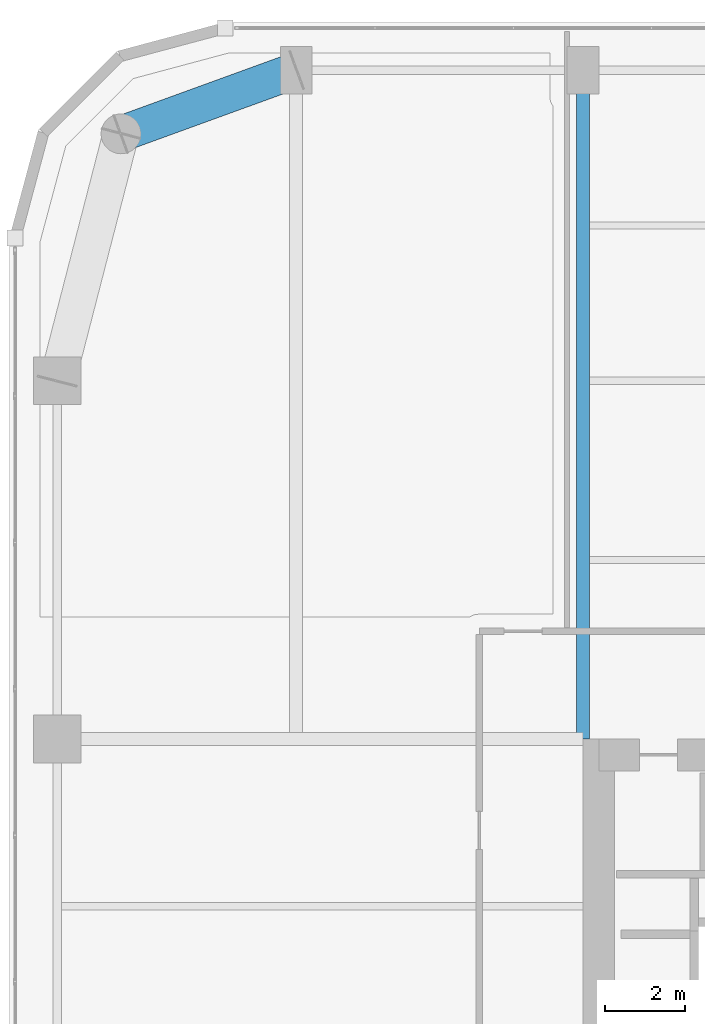
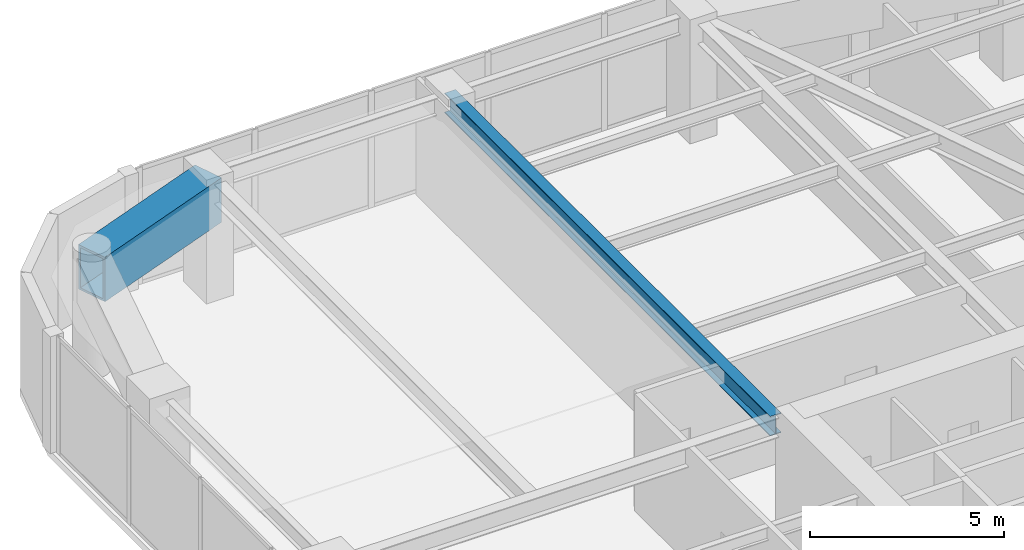
# One storey, part 16 of 30: 2 beams.
"""IFC4 building model written with IfcOpenShell, lengths in metres."""

from ifc_helpers import new_model, si_unit, direction, frame, origin, origin_2d, place, context, subcontext, project, spatial, hollow_rectangle, i_section, extrude, material, material_profile, profile_set, type_object, element, save


model = new_model("IFC4")

# Units and contexts
model_context = context("Model", 3, precision=1e-05, world=origin(), true_north=direction((0.0, 1.0)))
body_context = subcontext(model_context, "Body", "Model", "MODEL_VIEW")
ifc_project = project(units=[si_unit("LENGTHUNIT", "METRE"), si_unit("AREAUNIT", "SQUARE_METRE"), si_unit("VOLUMEUNIT", "CUBIC_METRE"), si_unit("PLANEANGLEUNIT", "RADIAN"), si_unit("MASSUNIT", "GRAM", prefix="KILO")], contexts=[model_context])

# Site, building, storey
site_placement = place(None, origin())
site = spatial("IfcSite", under=ifc_project, at=site_placement, CompositionType="ELEMENT")
building_placement = place(site_placement, origin())
building = spatial("IfcBuilding", under=site, at=building_placement, Name="Kiyonajd Concourse Tower", CompositionType="ELEMENT")
storey_placement = place(building_placement, frame((0.0, 0.0, 166.199951171875)))
storey = spatial("IfcBuildingStorey", under=building, at=storey_placement, Name="L42", CompositionType="ELEMENT", Elevation=166.199951171875)

# Beams
ifc_material_1 = material(Name="Steel ASTM A992 Grade 50", Category="steel")
ifc_material_profile_1 = material_profile(ifc_material_1, i_section(OverallWidth=0.326904296875, OverallDepth=0.6220703125, WebThickness=0.015380859375, FlangeThickness=0.0244140625, at=origin_2d()), Name="W610X195")
ifc_profile_set_1 = profile_set([ifc_material_profile_1], Name="Steel ASTM A992 Grade 50")
beam_type_1 = type_object("IfcBeamType", Name="BM-TWR-610A", PredefinedType="BEAM", material=ifc_profile_set_1)
beam_1_placement = place(storey_placement, frame((32.39990234375, 44.39990234375, 3.369140625), z_axis=(0.0, 1.0, 0.0), x_axis=(-1.0, 0.0, 0.0)))
element("IfcBeam", 1, at=beam_1_placement, inside=storey, type_object=beam_type_1, Name="L42 North Lease Girder", PredefinedType="BEAM", context=body_context, shape_type="SweptSolid", body=[
    extrude(i_section(OverallWidth=0.326904296875, OverallDepth=0.6220703125, WebThickness=0.015380859375, FlangeThickness=0.0244140625, at=origin_2d()), origin(), (0.0, 0.0, 1.0), 16.800048828125),
])
ifc_material_2 = material(Name="Steel ASTM A572 Grade 50", Category="steel")
ifc_material_profile_2 = material_profile(ifc_material_2, hollow_rectangle(XDim=0.89990234375, YDim=1.39990234375, WallThickness=0.070068359375, at=origin_2d()), Name="BOX-1400x900x70")
ifc_profile_set_2 = profile_set([ifc_material_profile_2], Name="Steel ASTM A572 Grade 50")
beam_type_2 = type_object("IfcBeamType", Name="BM-XFER-1400", PredefinedType="BEAM", material=ifc_profile_set_2)
beam_2_placement = place(storey_placement, frame((25.199951171875, 61.199951171875, 2.97998046875), z_axis=(-0.939801036019, -0.341722127901, 0.0), x_axis=(0.341722127901, -0.939801036019, 0.0)))
element("IfcBeam", 2, at=beam_2_placement, inside=storey, type_object=beam_type_2, Name="L42 Perimeter Bundled Tube Spandrel", PredefinedType="BEAM", context=body_context, shape_type="SweptSolid", body=[
    extrude(hollow_rectangle(XDim=0.89990234375, YDim=1.39990234375, WallThickness=0.070068359375, at=origin_2d()), origin(), (0.0, 0.0, 1.0), 4.681640625),
])

save(model, "model.ifc")
